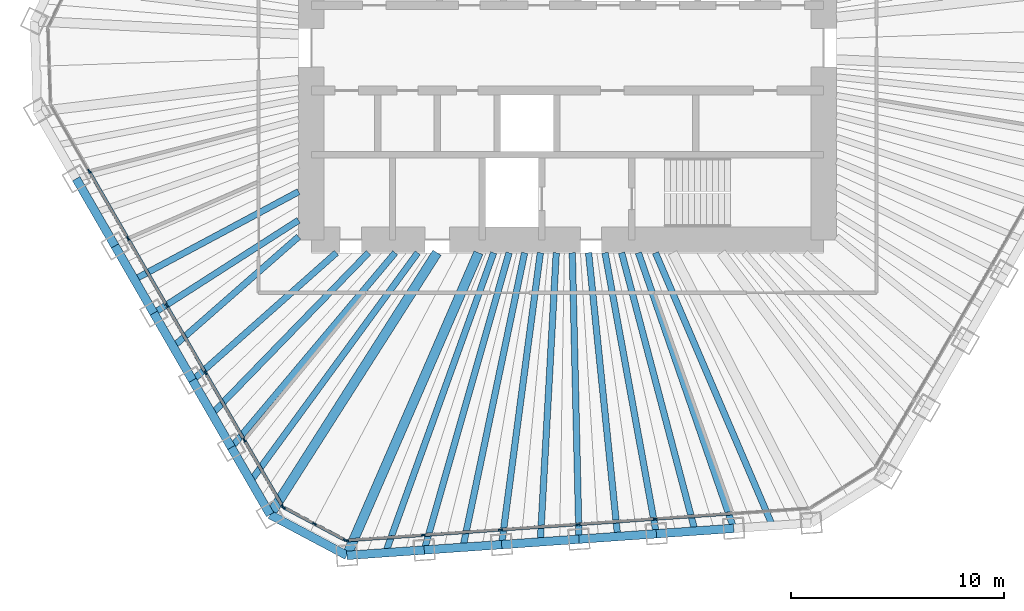
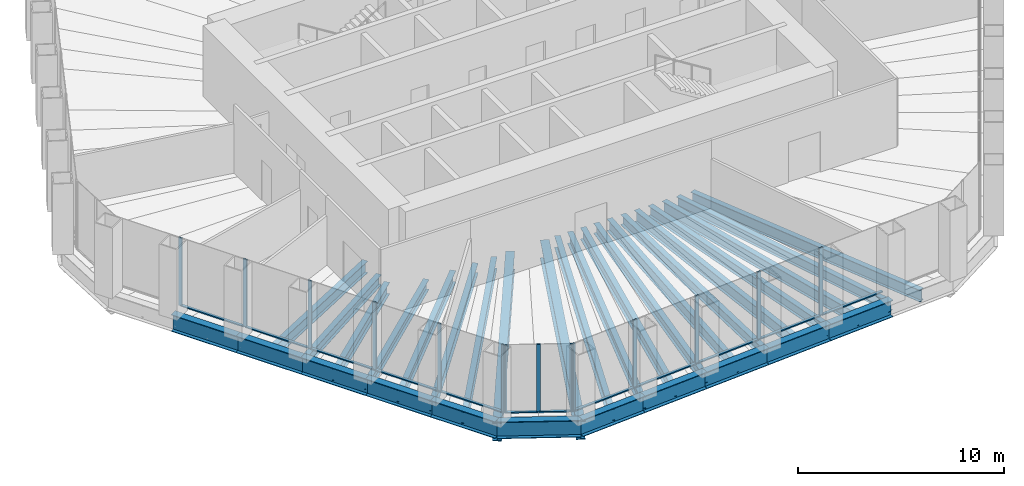
# One storey, part 2 of 13: 31 beams, 26 members, 3 elements without a shape of their own.
"""IFC4 building model written with IfcOpenShell, lengths in metres."""

from ifc_helpers import new_model, si_unit, direction, frame, origin, origin_2d, place, context, subcontext, project, spatial, rectangle, i_section, extrude, material, material_profile, profile_set, type_object, element, aggregate, save


model = new_model("IFC4")

# Units and contexts
model_context = context("Model", 3, precision=1e-05, world=origin(), true_north=direction((0.0, 1.0)))
body_context = subcontext(model_context, "Body", "Model", "MODEL_VIEW")
ifc_project = project(units=[si_unit("LENGTHUNIT", "METRE"), si_unit("AREAUNIT", "SQUARE_METRE"), si_unit("VOLUMEUNIT", "CUBIC_METRE"), si_unit("PLANEANGLEUNIT", "RADIAN"), si_unit("MASSUNIT", "GRAM", prefix="KILO")], contexts=[model_context])

# Site, building, storey
site_placement = place(None, origin())
site = spatial("IfcSite", under=ifc_project, at=site_placement, CompositionType="ELEMENT")
building_placement = place(site_placement, origin())
building = spatial("IfcBuilding", under=site, at=building_placement, Name="Qingtian Harvest Tower", CompositionType="ELEMENT")
storey_placement = place(building_placement, frame((0.0, 0.0, 247.60009765625)))
storey = spatial("IfcBuildingStorey", under=building, at=storey_placement, Name="L54", CompositionType="ELEMENT", Elevation=247.60009765625)

# Beams
ifc_material_1 = material(Name="Steel SM570MC", Category="steel")
ifc_material_profile_1 = material_profile(ifc_material_1, i_section(OverallWidth=0.449951171875, OverallDepth=1.10009765625, WebThickness=0.02197265625, FlangeThickness=0.044921875, at=origin_2d()), Name="H1100x450x22x45")
ifc_profile_set_1 = profile_set([ifc_material_profile_1], Name="Steel SM570MC")
beam_type_1 = type_object("IfcBeamType", Name="Corner floor beam FB8 H1100x450x22x45", PredefinedType="BEAM", material=ifc_profile_set_1)
beam_1_placement = place(storey_placement, frame((-10.33837890625, -23.779052734375, -0.72021484375), z_axis=(0.398714563353, 0.917075077063, 0.0), x_axis=(-0.917075077063, 0.398714563353, 0.0)))
element("IfcBeam", 1, at=beam_1_placement, inside=storey, type_object=beam_type_1, Name="Floor beam FB8 S6", PredefinedType="BEAM", context=body_context, shape_type="SweptSolid", body=[
    extrude(i_section(OverallWidth=0.449951171875, OverallDepth=1.10009765625, WebThickness=0.02197265625, FlangeThickness=0.044921875, at=origin_2d()), origin(), (0.0, 0.0, 1.0), 15.461181640625),
])
beam_2_placement = place(storey_placement, frame((-13.9326171875, -21.8681640625, -0.72021484375), z_axis=(0.537326103898, 0.8433745657, 0.0), x_axis=(-0.8433745657, 0.537326103898, 0.0)))
element("IfcBeam", 2, at=beam_2_placement, inside=storey, type_object=beam_type_1, Name="Floor beam FB8 SW0", PredefinedType="BEAM", context=body_context, shape_type="SweptSolid", body=[
    extrude(i_section(OverallWidth=0.449951171875, OverallDepth=1.10009765625, WebThickness=0.02197265625, FlangeThickness=0.044921875, at=origin_2d()), origin(), (0.0, 0.0, 1.0), 14.54638671875),
])
ifc_material_2 = material(Name="Steel SN490B", Category="steel")
ifc_material_profile_2 = material_profile(ifc_material_2, i_section(OverallWidth=0.300048828125, OverallDepth=0.699951171875, WebThickness=0.012939453125, FlangeThickness=0.02392578125, at=origin_2d()), Name="H700x300x13x24")
ifc_profile_set_2 = profile_set([ifc_material_profile_2], Name="Steel SN490B")
beam_type_2 = type_object("IfcBeamType", Name="Floor beam FB2 H700x300x13x24", PredefinedType="BEAM", material=ifc_profile_set_2)
beam_3_placement = place(storey_placement, frame((-6.713623046875, -23.525634765625, -0.52001953125), z_axis=(0.274411610503, 0.961612327303, 0.0), x_axis=(-0.961612327303, 0.274411610503, 0.0)))
element("IfcBeam", 3, at=beam_3_placement, inside=storey, type_object=beam_type_2, Name="Floor beam FB2 S5", PredefinedType="BEAM", context=body_context, shape_type="SweptSolid", body=[
    extrude(i_section(OverallWidth=0.300048828125, OverallDepth=0.699951171875, WebThickness=0.012939453125, FlangeThickness=0.02392578125, at=origin_2d()), origin(), (0.0, 0.0, 1.0), 14.4814453125),
])
ifc_material_3 = material(Name="Steel SN490B", Category="steel")
ifc_material_profile_3 = material_profile(ifc_material_3, i_section(OverallWidth=0.300048828125, OverallDepth=0.60009765625, WebThickness=0.011962890625, FlangeThickness=0.02001953125, at=origin_2d()), Name="H600x300x12x20")
ifc_profile_set_3 = profile_set([ifc_material_profile_3], Name="Steel SN490B")
beam_type_3 = type_object("IfcBeamType", Name="Floor beam FB3 H600x300x12x20", PredefinedType="BEAM", material=ifc_profile_set_3)
beam_4_placement = place(storey_placement, frame((7.78515625, -22.51171875, -0.47021484375), z_axis=(-0.326844175409, 0.945078242793, 0.0), x_axis=(-0.945078242793, -0.326844175409, 0.0)))
element("IfcBeam", 4, at=beam_4_placement, inside=storey, type_object=beam_type_3, Name="Floor beam FB3 S1", PredefinedType="BEAM", context=body_context, shape_type="SweptSolid", body=[
    extrude(i_section(OverallWidth=0.300048828125, OverallDepth=0.60009765625, WebThickness=0.011962890625, FlangeThickness=0.02001953125, at=origin_2d()), origin(), (0.0, 0.0, 1.0), 13.661865234375),
])
beam_5_placement = place(storey_placement, frame((4.160400390625, -22.76513671875, -0.47021484375), z_axis=(-0.179779537209, 0.983706926885, 0.0), x_axis=(-0.983706926885, -0.179779537209, 0.0)))
element("IfcBeam", 5, at=beam_5_placement, inside=storey, type_object=beam_type_3, Name="Floor beam FB3 S2", PredefinedType="BEAM", context=body_context, shape_type="SweptSolid", body=[
    extrude(i_section(OverallWidth=0.300048828125, OverallDepth=0.60009765625, WebThickness=0.011962890625, FlangeThickness=0.02001953125, at=origin_2d()), origin(), (0.0, 0.0, 1.0), 13.383056640625),
])
beam_6_placement = place(storey_placement, frame((0.53564453125, -23.018798828125, -0.47021484375), z_axis=(-0.023263902078, 0.999729358807, 0.0), x_axis=(-0.999729358807, -0.023263902078, 0.0)))
element("IfcBeam", 6, at=beam_6_placement, inside=storey, type_object=beam_type_3, Name="Floor beam FB3 S3", PredefinedType="BEAM", context=body_context, shape_type="SweptSolid", body=[
    extrude(i_section(OverallWidth=0.300048828125, OverallDepth=0.60009765625, WebThickness=0.011962890625, FlangeThickness=0.02001953125, at=origin_2d()), origin(), (0.0, 0.0, 1.0), 13.42236328125),
])
beam_7_placement = place(storey_placement, frame((-3.089111328125, -23.272216796875, -0.47021484375), z_axis=(0.131593229442, 0.991303799027, 0.0), x_axis=(-0.991303799027, 0.131593229442, 0.0)))
element("IfcBeam", 7, at=beam_7_placement, inside=storey, type_object=beam_type_3, Name="Floor beam FB3 S4", PredefinedType="BEAM", context=body_context, shape_type="SweptSolid", body=[
    extrude(i_section(OverallWidth=0.300048828125, OverallDepth=0.60009765625, WebThickness=0.011962890625, FlangeThickness=0.02001953125, at=origin_2d()), origin(), (0.0, 0.0, 1.0), 13.7919921875),
])
beam_8_placement = place(storey_placement, frame((-15.749267578125, -18.72119140625, -0.47021484375), z_axis=(0.643763532906, 0.765224485821, 0.0), x_axis=(-0.765224485821, 0.643763532906, 0.0)))
element("IfcBeam", 8, at=beam_8_placement, inside=storey, type_object=beam_type_3, Name="Floor beam FB3 SW1", PredefinedType="BEAM", context=body_context, shape_type="SweptSolid", body=[
    extrude(i_section(OverallWidth=0.300048828125, OverallDepth=0.60009765625, WebThickness=0.011962890625, FlangeThickness=0.02001953125, at=origin_2d()), origin(), (0.0, 0.0, 1.0), 11.91943359375),
])
beam_9_placement = place(storey_placement, frame((-17.566162109375, -15.574462890625, -0.47021484375), z_axis=(0.748259768664, 0.663405847577, 0.0), x_axis=(-0.663405847577, 0.748259768664, 0.0)))
element("IfcBeam", 9, at=beam_9_placement, inside=storey, type_object=beam_type_3, Name="Floor beam FB3 SW2", PredefinedType="BEAM", context=body_context, shape_type="SweptSolid", body=[
    extrude(i_section(OverallWidth=0.300048828125, OverallDepth=0.60009765625, WebThickness=0.011962890625, FlangeThickness=0.02001953125, at=origin_2d()), origin(), (0.0, 0.0, 1.0), 9.005615234375),
])
beam_10_placement = place(storey_placement, frame((-19.3828125, -12.427734375, -0.47021484375), z_axis=(0.841823714388, 0.539752567288, 0.0), x_axis=(-0.539752567288, 0.841823714388, 0.0)))
element("IfcBeam", 10, at=beam_10_placement, inside=storey, type_object=beam_type_3, Name="Floor beam FB3 SW3", PredefinedType="BEAM", context=body_context, shape_type="SweptSolid", body=[
    extrude(i_section(OverallWidth=0.300048828125, OverallDepth=0.60009765625, WebThickness=0.011962890625, FlangeThickness=0.02001953125, at=origin_2d()), origin(), (0.0, 0.0, 1.0), 8.05712890625),
])
ifc_material_4 = material(Name="Steel SN490B", Category="steel")
ifc_material_profile_4 = material_profile(ifc_material_4, i_section(OverallWidth=0.300048828125, OverallDepth=0.699951171875, WebThickness=0.012939453125, FlangeThickness=0.02392578125, at=origin_2d()), Name="H700x300x13x24")
ifc_profile_set_4 = profile_set([ifc_material_profile_4], Name="Steel SN490B")
beam_type_4 = type_object("IfcBeamType", Name="Floor joist J2 H700x300x13x24", PredefinedType="JOIST", material=ifc_profile_set_4)
beam_11_placement = place(storey_placement, frame((9.597412109375, -22.385009765625, -0.52001953125), z_axis=(-0.394052741766, 0.919087828614, 0.0), x_axis=(-0.919087828614, -0.394052741766, 0.0)))
element("IfcBeam", 11, at=beam_11_placement, inside=storey, type_object=beam_type_4, Name="Floor joist J2 S0", PredefinedType="JOIST", context=body_context, shape_type="SweptSolid", body=[
    extrude(i_section(OverallWidth=0.300048828125, OverallDepth=0.699951171875, WebThickness=0.012939453125, FlangeThickness=0.02392578125, at=origin_2d()), origin(), (0.0, 0.0, 1.0), 13.910400390625),
])
beam_12_placement = place(storey_placement, frame((5.97265625, -22.638427734375, -0.52001953125), z_axis=(-0.255103716232, 0.9669136952, 0.0), x_axis=(-0.9669136952, -0.255103716232, 0.0)))
element("IfcBeam", 12, at=beam_12_placement, inside=storey, type_object=beam_type_4, Name="Floor joist J2 S1", PredefinedType="JOIST", context=body_context, shape_type="SweptSolid", body=[
    extrude(i_section(OverallWidth=0.300048828125, OverallDepth=0.699951171875, WebThickness=0.012939453125, FlangeThickness=0.02392578125, at=origin_2d()), origin(), (0.0, 0.0, 1.0), 13.484375),
])
beam_13_placement = place(storey_placement, frame((2.347900390625, -22.89208984375, -0.52001953125), z_axis=(-0.102028865499, 0.994781438611, 0.0), x_axis=(-0.994781438611, -0.102028865499, 0.0)))
element("IfcBeam", 13, at=beam_13_placement, inside=storey, type_object=beam_type_4, Name="Floor joist J2 S2", PredefinedType="JOIST", context=body_context, shape_type="SweptSolid", body=[
    extrude(i_section(OverallWidth=0.300048828125, OverallDepth=0.699951171875, WebThickness=0.012939453125, FlangeThickness=0.02392578125, at=origin_2d()), origin(), (0.0, 0.0, 1.0), 13.36181640625),
])
beam_14_placement = place(storey_placement, frame((-1.276611328125, -23.1455078125, -0.52001953125), z_axis=(0.055069329716, 0.998482533109, 0.0), x_axis=(-0.998482533109, 0.055069329716, 0.0)))
element("IfcBeam", 14, at=beam_14_placement, inside=storey, type_object=beam_type_4, Name="Floor joist J2 S3", PredefinedType="JOIST", context=body_context, shape_type="SweptSolid", body=[
    extrude(i_section(OverallWidth=0.300048828125, OverallDepth=0.699951171875, WebThickness=0.012939453125, FlangeThickness=0.02392578125, at=origin_2d()), origin(), (0.0, 0.0, 1.0), 13.56591796875),
])
beam_15_placement = place(storey_placement, frame((-4.9013671875, -23.39892578125, -0.52001953125), z_axis=(0.205016322093, 0.978758554331, 0.0), x_axis=(-0.978758554331, 0.205016322093, 0.0)))
element("IfcBeam", 15, at=beam_15_placement, inside=storey, type_object=beam_type_4, Name="Floor joist J2 S4", PredefinedType="JOIST", context=body_context, shape_type="SweptSolid", body=[
    extrude(i_section(OverallWidth=0.300048828125, OverallDepth=0.699951171875, WebThickness=0.012939453125, FlangeThickness=0.02392578125, at=origin_2d()), origin(), (0.0, 0.0, 1.0), 14.098388671875),
])
beam_16_placement = place(storey_placement, frame((-8.526123046875, -23.65234375, -0.52001953125), z_axis=(0.339126305921, 0.940740850943, 0.0), x_axis=(-0.940740850943, 0.339126305921, 0.0)))
element("IfcBeam", 16, at=beam_16_placement, inside=storey, type_object=beam_type_4, Name="Floor joist J2 S5", PredefinedType="JOIST", context=body_context, shape_type="SweptSolid", body=[
    extrude(i_section(OverallWidth=0.300048828125, OverallDepth=0.699951171875, WebThickness=0.012939453125, FlangeThickness=0.02392578125, at=origin_2d()), origin(), (0.0, 0.0, 1.0), 14.9375),
])
beam_17_placement = place(storey_placement, frame((-14.841064453125, -20.294677734375, -0.52001953125), z_axis=(0.590288677526, 0.807192218238, 0.0), x_axis=(-0.807192218238, 0.590288677526, 0.0)))
element("IfcBeam", 17, at=beam_17_placement, inside=storey, type_object=beam_type_4, Name="Floor joist J2 SW0", PredefinedType="JOIST", context=body_context, shape_type="SweptSolid", body=[
    extrude(i_section(OverallWidth=0.300048828125, OverallDepth=0.699951171875, WebThickness=0.012939453125, FlangeThickness=0.02392578125, at=origin_2d()), origin(), (0.0, 0.0, 1.0), 13.2490234375),
])
beam_18_placement = place(storey_placement, frame((-16.65771484375, -17.14794921875, -0.52001953125), z_axis=(0.696777499009, 0.717287332158, 0.0), x_axis=(-0.717287332158, 0.696777499009, 0.0)))
element("IfcBeam", 18, at=beam_18_placement, inside=storey, type_object=beam_type_4, Name="Floor joist J2 SW1", PredefinedType="JOIST", context=body_context, shape_type="SweptSolid", body=[
    extrude(i_section(OverallWidth=0.300048828125, OverallDepth=0.699951171875, WebThickness=0.012939453125, FlangeThickness=0.02392578125, at=origin_2d()), origin(), (0.0, 0.0, 1.0), 10.522705078125),
])
beam_19_placement = place(storey_placement, frame((-18.474609375, -14.001220703125, -0.52001953125), z_axis=(0.751883296969, 0.659296221542, 0.0), x_axis=(-0.659296221542, 0.751883296969, 0.0)))
element("IfcBeam", 19, at=beam_19_placement, inside=storey, type_object=beam_type_4, Name="Floor joist J2 SW2", PredefinedType="JOIST", context=body_context, shape_type="SweptSolid", body=[
    extrude(i_section(OverallWidth=0.300048828125, OverallDepth=0.699951171875, WebThickness=0.012939453125, FlangeThickness=0.02392578125, at=origin_2d()), origin(), (0.0, 0.0, 1.0), 7.81298828125),
])
beam_20_placement = place(storey_placement, frame((-20.291259765625, -10.8544921875, -0.52001953125), z_axis=(0.881766503154, 0.471686160402, 0.0), x_axis=(-0.471686160402, 0.881766503154, 0.0)))
element("IfcBeam", 20, at=beam_20_placement, inside=storey, type_object=beam_type_4, Name="Floor joist J2 SW3", PredefinedType="JOIST", context=body_context, shape_type="SweptSolid", body=[
    extrude(i_section(OverallWidth=0.300048828125, OverallDepth=0.699951171875, WebThickness=0.012939453125, FlangeThickness=0.02392578125, at=origin_2d()), origin(), (0.0, 0.0, 1.0), 8.722412109375),
])

# Curtain wall, members
ifc_material_5 = material(Name="Bronze-anodised aluminium curtain wall", Category="aluminium")
curtain_wall_type = type_object("IfcCurtainWallType", Name="Curtain wall CW4 office", PredefinedType="USERDEFINED", material=ifc_material_5)
curtain_wall_1_placement = place(storey_placement, origin())
curtain_wall_1 = element("IfcCurtainWall", 21, at=curtain_wall_1_placement, inside=storey, type_object=curtain_wall_type, Name="Curtain wall CW4 L54 S0-5", ObjectType="RECESSED CURTAIN WALL", PredefinedType="USERDEFINED")
ifc_material_6 = material(Name="Bronze-anodised aluminium mullion", Category="aluminium")
ifc_material_profile_5 = material_profile(ifc_material_6, rectangle(XDim=0.06494140625, YDim=0.199951171875, at=origin_2d()), Name="AL 65x200")
ifc_profile_set_5 = profile_set([ifc_material_profile_5], Name="Bronze-anodised aluminium mullion")
member_type_1 = type_object("IfcMemberType", Name="Mullion CWM 65x200", PredefinedType="MULLION", material=ifc_profile_set_5)
member_1_placement = place(storey_placement, frame((4.111572265625, -22.06689453125, 0.0), z_axis=(0.0, 0.0, 1.0), x_axis=(0.069756473744, -0.99756405026, 0.0)))
member_1 = element("IfcMember", 22, at=member_1_placement, type_object=member_type_1, Name="CW4 mullion 3", PredefinedType="MULLION", context=body_context, shape_type="SweptSolid", body=[
    extrude(rectangle(XDim=0.06494140625, YDim=0.199951171875, at=origin_2d()), origin(), (0.0, 0.0, 1.0), 4.02978515625),
])
member_2_placement = place(storey_placement, frame((0.48681640625, -22.3203125, 0.0), z_axis=(0.0, 0.0, 1.0), x_axis=(0.069756473744, -0.99756405026, 0.0)))
member_2 = element("IfcMember", 23, at=member_2_placement, type_object=member_type_1, Name="CW4 mullion 4", PredefinedType="MULLION", context=body_context, shape_type="SweptSolid", body=[
    extrude(rectangle(XDim=0.06494140625, YDim=0.199951171875, at=origin_2d()), origin(), (0.0, 0.0, 1.0), 4.02978515625),
])
member_3_placement = place(storey_placement, frame((-3.137939453125, -22.573974609375, 0.0), z_axis=(0.0, 0.0, 1.0), x_axis=(0.069756473744, -0.99756405026, 0.0)))
member_3 = element("IfcMember", 24, at=member_3_placement, type_object=member_type_1, Name="CW4 mullion 5", PredefinedType="MULLION", context=body_context, shape_type="SweptSolid", body=[
    extrude(rectangle(XDim=0.06494140625, YDim=0.199951171875, at=origin_2d()), origin(), (0.0, 0.0, 1.0), 4.02978515625),
])
member_4_placement = place(storey_placement, frame((-6.762451171875, -22.827392578125, 0.0), z_axis=(0.0, 0.0, 1.0), x_axis=(0.069756473744, -0.99756405026, 0.0)))
member_4 = element("IfcMember", 25, at=member_4_placement, type_object=member_type_1, Name="CW4 mullion 6", PredefinedType="MULLION", context=body_context, shape_type="SweptSolid", body=[
    extrude(rectangle(XDim=0.06494140625, YDim=0.199951171875, at=origin_2d()), origin(), (0.0, 0.0, 1.0), 4.02978515625),
])
member_5_placement = place(storey_placement, frame((-10.354736328125, -23.07861328125, 0.0), z_axis=(0.0, 0.0, 1.0), x_axis=(0.069756473744, -0.99756405026, 0.0)))
member_5 = element("IfcMember", 26, at=member_5_placement, type_object=member_type_1, Name="CW4 mullion 7", PredefinedType="MULLION", context=body_context, shape_type="SweptSolid", body=[
    extrude(rectangle(XDim=0.06494140625, YDim=0.199951171875, at=origin_2d()), origin(), (0.0, 0.0, 1.0), 4.02978515625),
])

curtain_wall_2_placement = place(storey_placement, origin())
curtain_wall_2 = element("IfcCurtainWall", 27, at=curtain_wall_2_placement, inside=storey, type_object=curtain_wall_type, Name="Curtain wall CW4 L54 SC", ObjectType="RECESSED CURTAIN WALL", PredefinedType="USERDEFINED")
member_6_placement = place(storey_placement, frame((-10.416015625, -23.0654296875, 0.0), z_axis=(0.0, 0.0, 1.0), x_axis=(-0.469471562786, -0.882947592859, 0.0)))
member_6 = element("IfcMember", 28, at=member_6_placement, type_object=member_type_1, Name="CW4 mullion 1", PredefinedType="MULLION", context=body_context, shape_type="SweptSolid", body=[
    extrude(rectangle(XDim=0.06494140625, YDim=0.199951171875, at=origin_2d()), origin(), (0.0, 0.0, 1.0), 4.02978515625),
])
member_7_placement = place(storey_placement, frame((-11.85693359375, -22.29931640625, 0.0), z_axis=(0.0, 0.0, 1.0), x_axis=(-0.469471562786, -0.882947592859, 0.0)))
member_7 = element("IfcMember", 29, at=member_7_placement, type_object=member_type_1, Name="CW4 mullion 2", PredefinedType="MULLION", context=body_context, shape_type="SweptSolid", body=[
    extrude(rectangle(XDim=0.06494140625, YDim=0.199951171875, at=origin_2d()), origin(), (0.0, 0.0, 1.0), 4.02978515625),
])
member_8_placement = place(storey_placement, frame((-13.297607421875, -21.533203125, 0.0), z_axis=(0.0, 0.0, 1.0), x_axis=(-0.469471562786, -0.882947592859, 0.0)))
member_8 = element("IfcMember", 30, at=member_8_placement, type_object=member_type_1, Name="CW4 mullion 3", PredefinedType="MULLION", context=body_context, shape_type="SweptSolid", body=[
    extrude(rectangle(XDim=0.06494140625, YDim=0.199951171875, at=origin_2d()), origin(), (0.0, 0.0, 1.0), 4.02978515625),
])

curtain_wall_3_placement = place(storey_placement, origin())
curtain_wall_3 = element("IfcCurtainWall", 31, at=curtain_wall_3_placement, inside=storey, type_object=curtain_wall_type, Name="Curtain wall CW4 L54 SW0-5", ObjectType="RECESSED CURTAIN WALL", PredefinedType="USERDEFINED")
member_9_placement = place(storey_placement, frame((-13.342529296875, -21.489990234375, 0.0), z_axis=(0.0, 0.0, 1.0), x_axis=(-0.866025403784, -0.5, 0.0)))
member_9 = element("IfcMember", 32, at=member_9_placement, type_object=member_type_1, Name="CW4 mullion 1", PredefinedType="MULLION", context=body_context, shape_type="SweptSolid", body=[
    extrude(rectangle(XDim=0.06494140625, YDim=0.199951171875, at=origin_2d()), origin(), (0.0, 0.0, 1.0), 4.02978515625),
])
member_10_placement = place(storey_placement, frame((-15.14306640625, -18.371337890625, 0.0), z_axis=(0.0, 0.0, 1.0), x_axis=(-0.866025403784, -0.5, 0.0)))
member_10 = element("IfcMember", 33, at=member_10_placement, type_object=member_type_1, Name="CW4 mullion 2", PredefinedType="MULLION", context=body_context, shape_type="SweptSolid", body=[
    extrude(rectangle(XDim=0.06494140625, YDim=0.199951171875, at=origin_2d()), origin(), (0.0, 0.0, 1.0), 4.02978515625),
])
member_11_placement = place(storey_placement, frame((-16.9599609375, -15.224609375, 0.0), z_axis=(0.0, 0.0, 1.0), x_axis=(-0.866025403784, -0.5, 0.0)))
member_11 = element("IfcMember", 34, at=member_11_placement, type_object=member_type_1, Name="CW4 mullion 3", PredefinedType="MULLION", context=body_context, shape_type="SweptSolid", body=[
    extrude(rectangle(XDim=0.06494140625, YDim=0.199951171875, at=origin_2d()), origin(), (0.0, 0.0, 1.0), 4.02978515625),
])
member_12_placement = place(storey_placement, frame((-18.776611328125, -12.077880859375, 0.0), z_axis=(0.0, 0.0, 1.0), x_axis=(-0.866025403784, -0.5, 0.0)))
member_12 = element("IfcMember", 35, at=member_12_placement, type_object=member_type_1, Name="CW4 mullion 4", PredefinedType="MULLION", context=body_context, shape_type="SweptSolid", body=[
    extrude(rectangle(XDim=0.06494140625, YDim=0.199951171875, at=origin_2d()), origin(), (0.0, 0.0, 1.0), 4.02978515625),
])
member_13_placement = place(storey_placement, frame((-20.593505859375, -8.93115234375, 0.0), z_axis=(0.0, 0.0, 1.0), x_axis=(-0.866025403784, -0.5, 0.0)))
member_13 = element("IfcMember", 36, at=member_13_placement, type_object=member_type_1, Name="CW4 mullion 5", PredefinedType="MULLION", context=body_context, shape_type="SweptSolid", body=[
    extrude(rectangle(XDim=0.06494140625, YDim=0.199951171875, at=origin_2d()), origin(), (0.0, 0.0, 1.0), 4.02978515625),
])
member_14_placement = place(storey_placement, frame((-22.41015625, -5.784423828125, 0.0), z_axis=(0.0, 0.0, 1.0), x_axis=(-0.866025403784, -0.5, 0.0)))
member_14 = element("IfcMember", 37, at=member_14_placement, type_object=member_type_1, Name="CW4 mullion 6", PredefinedType="MULLION", context=body_context, shape_type="SweptSolid", body=[
    extrude(rectangle(XDim=0.06494140625, YDim=0.199951171875, at=origin_2d()), origin(), (0.0, 0.0, 1.0), 4.02978515625),
])

# Beams
ifc_material_7 = material(Name="Steel SN490B", Category="steel")
ifc_material_profile_6 = material_profile(ifc_material_7, i_section(OverallWidth=0.39990234375, OverallDepth=1.0, WebThickness=0.01904296875, FlangeThickness=0.035888671875, at=origin_2d()), Name="H1000x400x19x36")
ifc_profile_set_6 = profile_set([ifc_material_profile_6], Name="Steel SN490B")
beam_type_5 = type_object("IfcBeamType", Name="Spandrel beam SB3 H1000x400x19x36", PredefinedType="SPANDREL", material=ifc_profile_set_6)
for number, where, z_axis, x_axis, name in (
    (38, (7.78515625, -22.51171875, -0.5), (-0.997565001055, -0.069742875402, 0.0), (0.069742875402, -0.997565001055, 0.0), "Spandrel SB3 S1"),
    (39, (4.160400390625, -22.76513671875, -0.5), (-0.997560324246, -0.069809737785, 0.0), (0.069809737785, -0.997560324246, 0.0), "Spandrel SB3 S2"),
    (40, (0.53564453125, -23.018798828125, -0.5), (-0.997565001055, -0.069742875402, 0.0), (0.069742875402, -0.997565001055, 0.0), "Spandrel SB3 S3"),
):
    element("IfcBeam", number, at=place(storey_placement, frame(where, z_axis=z_axis, x_axis=x_axis)), inside=storey, type_object=beam_type_5, Name=name, PredefinedType="SPANDREL", context=body_context, shape_type="SweptSolid", body=[
        extrude(i_section(OverallWidth=0.39990234375, OverallDepth=1.0, WebThickness=0.01904296875, FlangeThickness=0.035888671875, at=origin_2d()), origin(), (0.0, 0.0, 1.0), 3.633544921875),
    ])
beam_21_placement = place(storey_placement, frame((-3.089111328125, -23.272216796875, -0.5), z_axis=(-0.997564674207, -0.069747550305, 0.0), x_axis=(0.069747550305, -0.997564674207, 0.0)))
element("IfcBeam", 41, at=beam_21_placement, inside=storey, type_object=beam_type_5, Name="Spandrel SB3 S4", PredefinedType="SPANDREL", context=body_context, shape_type="SweptSolid", body=[
    extrude(i_section(OverallWidth=0.39990234375, OverallDepth=1.0, WebThickness=0.01904296875, FlangeThickness=0.035888671875, at=origin_2d()), origin(), (0.0, 0.0, 1.0), 3.63330078125),
])
beam_22_placement = place(storey_placement, frame((-6.713623046875, -23.525634765625, -0.5), z_axis=(-0.997565001055, -0.069742875402, 0.0), x_axis=(0.069742875402, -0.997565001055, 0.0)))
element("IfcBeam", 42, at=beam_22_placement, inside=storey, type_object=beam_type_5, Name="Spandrel SB3 S5", PredefinedType="SPANDREL", context=body_context, shape_type="SweptSolid", body=[
    extrude(i_section(OverallWidth=0.39990234375, OverallDepth=1.0, WebThickness=0.01904296875, FlangeThickness=0.035888671875, at=origin_2d()), origin(), (0.0, 0.0, 1.0), 3.633544921875),
])
beam_23_placement = place(storey_placement, frame((-10.33837890625, -23.779052734375, -0.5), z_axis=(-0.882968133669, 0.469432929101, 0.0), x_axis=(-0.469432929101, -0.882968133669, 0.0)))
element("IfcBeam", 43, at=beam_23_placement, inside=storey, type_object=beam_type_5, Name="Spandrel SB3 SC", PredefinedType="SPANDREL", context=body_context, shape_type="SweptSolid", body=[
    extrude(i_section(OverallWidth=0.39990234375, OverallDepth=1.0, WebThickness=0.01904296875, FlangeThickness=0.035888671875, at=origin_2d()), origin(), (0.0, 0.0, 1.0), 4.070556640625),
])
beam_24_placement = place(storey_placement, frame((-13.9326171875, -21.8681640625, -0.5), z_axis=(-0.499947341849, 0.866055803848, 0.0), x_axis=(-0.866055803848, -0.499947341849, 0.0)))
element("IfcBeam", 44, at=beam_24_placement, inside=storey, type_object=beam_type_5, Name="Spandrel SB3 SW0", PredefinedType="SPANDREL", context=body_context, shape_type="SweptSolid", body=[
    extrude(i_section(OverallWidth=0.39990234375, OverallDepth=1.0, WebThickness=0.01904296875, FlangeThickness=0.035888671875, at=origin_2d()), origin(), (0.0, 0.0, 1.0), 3.6337890625),
])
for number, where, z_axis, x_axis, name in (
    (45, (-15.749267578125, -18.72119140625, -0.5), (-0.500026827678, 0.866009914263, 0.0), (-0.866009914263, -0.500026827678, 0.0), "Spandrel SB3 SW1"),
    (46, (-17.566162109375, -15.574462890625, -0.5), (-0.499976434558, 0.866039008871, 0.0), (-0.866039008871, -0.499976434558, 0.0), "Spandrel SB3 SW2"),
    (47, (-19.3828125, -12.427734375, -0.5), (-0.500026827678, 0.866009914263, 0.0), (-0.866009914263, -0.500026827678, 0.0), "Spandrel SB3 SW3"),
    (48, (-21.19970703125, -9.281005859375, -0.5), (-0.499976434558, 0.866039008871, 0.0), (-0.866039008871, -0.499976434558, 0.0), "Spandrel SB3 SW4"),
):
    element("IfcBeam", number, at=place(storey_placement, frame(where, z_axis=z_axis, x_axis=x_axis)), inside=storey, type_object=beam_type_5, Name=name, PredefinedType="SPANDREL", context=body_context, shape_type="SweptSolid", body=[
        extrude(i_section(OverallWidth=0.39990234375, OverallDepth=1.0, WebThickness=0.01904296875, FlangeThickness=0.035888671875, at=origin_2d()), origin(), (0.0, 0.0, 1.0), 3.633544921875),
    ])

# Member
ifc_material_8 = material(Name="Bronze-anodised aluminium transom", Category="aluminium")
ifc_material_profile_7 = material_profile(ifc_material_8, rectangle(XDim=0.14990234375, YDim=0.06494140625, at=origin_2d()), Name="AL 65x150")
ifc_profile_set_7 = profile_set([ifc_material_profile_7], Name="Bronze-anodised aluminium transom")
member_type_2 = type_object("IfcMemberType", Name="Transom CWT 65x150", PredefinedType="USERDEFINED", material=ifc_profile_set_7)
member_15_placement = place(storey_placement, frame((7.703857421875, -21.815673828125, 0.032470703125), z_axis=(-0.997562159126, -0.069783512949, 0.0), x_axis=(0.069783512949, -0.997562159126, 0.0)))
member_15 = element("IfcMember", 49, at=member_15_placement, type_object=member_type_2, Name="CW4 transom 2.1", ObjectType="TRANSOM", PredefinedType="USERDEFINED", context=body_context, shape_type="SweptSolid", body=[
    extrude(rectangle(XDim=0.14990234375, YDim=0.06494140625, at=origin_2d()), origin(), (0.0, 0.0, 1.0), 3.568603515625),
])

member_16_placement = place(storey_placement, frame((4.0791015625, -22.0693359375, 0.032470703125), z_axis=(-0.99756691944, -0.069715430417, 0.0), x_axis=(0.069715430417, -0.99756691944, 0.0)))
member_16 = element("IfcMember", 50, at=member_16_placement, type_object=member_type_2, Name="CW4 transom 3.1", ObjectType="TRANSOM", PredefinedType="USERDEFINED", context=body_context, shape_type="SweptSolid", body=[
    extrude(rectangle(XDim=0.14990234375, YDim=0.06494140625, at=origin_2d()), origin(), (0.0, 0.0, 1.0), 3.568603515625),
])

member_17_placement = place(storey_placement, frame((0.454345703125, -22.32275390625, 0.032470703125), z_axis=(-0.99756691944, -0.069715430417, 0.0), x_axis=(0.069715430417, -0.99756691944, 0.0)))
member_17 = element("IfcMember", 51, at=member_17_placement, type_object=member_type_2, Name="CW4 transom 4.1", ObjectType="TRANSOM", PredefinedType="USERDEFINED", context=body_context, shape_type="SweptSolid", body=[
    extrude(rectangle(XDim=0.14990234375, YDim=0.06494140625, at=origin_2d()), origin(), (0.0, 0.0, 1.0), 3.568603515625),
])

member_18_placement = place(storey_placement, frame((-3.170166015625, -22.576171875, 0.032470703125), z_axis=(-0.997567251922, -0.069710672727, 0.0), x_axis=(0.069710672727, -0.997567251922, 0.0)))
member_18 = element("IfcMember", 52, at=member_18_placement, type_object=member_type_2, Name="CW4 transom 5.1", ObjectType="TRANSOM", PredefinedType="USERDEFINED", context=body_context, shape_type="SweptSolid", body=[
    extrude(rectangle(XDim=0.14990234375, YDim=0.06494140625, at=origin_2d()), origin(), (0.0, 0.0, 1.0), 3.56884765625),
])

member_19_placement = place(storey_placement, frame((-6.794921875, -22.82958984375, 0.032470703125), z_axis=(-0.997565839557, -0.069730880888, 0.0), x_axis=(0.069730880888, -0.997565839557, 0.0)))
member_19 = element("IfcMember", 53, at=member_19_placement, type_object=member_type_2, Name="CW4 transom 6.1", ObjectType="TRANSOM", PredefinedType="USERDEFINED", context=body_context, shape_type="SweptSolid", body=[
    extrude(rectangle(XDim=0.14990234375, YDim=0.06494140625, at=origin_2d()), origin(), (0.0, 0.0, 1.0), 3.5361328125),
])

aggregate(curtain_wall_1, [member_1, member_2, member_3, member_4, member_5, member_15, member_16, member_17, member_18, member_19])

member_20_placement = place(storey_placement, frame((-10.444580078125, -23.05029296875, 0.032470703125), z_axis=(-0.882960338349, 0.46944759122, 0.0), x_axis=(-0.46944759122, -0.882960338349, 0.0)))
member_20 = element("IfcMember", 54, at=member_20_placement, type_object=member_type_2, Name="CW4 transom 1.1", ObjectType="TRANSOM", PredefinedType="USERDEFINED", context=body_context, shape_type="SweptSolid", body=[
    extrude(rectangle(XDim=0.14990234375, YDim=0.06494140625, at=origin_2d()), origin(), (0.0, 0.0, 1.0), 1.56689453125),
])

member_21_placement = place(storey_placement, frame((-11.885498046875, -22.2841796875, 0.032470703125), z_axis=(-0.882960338349, 0.46944759122, 0.0), x_axis=(-0.46944759122, -0.882960338349, 0.0)))
member_21 = element("IfcMember", 55, at=member_21_placement, type_object=member_type_2, Name="CW4 transom 2.1", ObjectType="TRANSOM", PredefinedType="USERDEFINED", context=body_context, shape_type="SweptSolid", body=[
    extrude(rectangle(XDim=0.14990234375, YDim=0.06494140625, at=origin_2d()), origin(), (0.0, 0.0, 1.0), 1.56689453125),
])

aggregate(curtain_wall_2, [member_6, member_7, member_8, member_20, member_21])

member_22_placement = place(storey_placement, frame((-13.35888671875, -21.461669921875, 0.032470703125), z_axis=(-0.500015305566, 0.866016566931, 0.0), x_axis=(-0.866016566931, -0.500015305566, 0.0)))
member_22 = element("IfcMember", 56, at=member_22_placement, type_object=member_type_2, Name="CW4 transom 1.1", ObjectType="TRANSOM", PredefinedType="USERDEFINED", context=body_context, shape_type="SweptSolid", body=[
    extrude(rectangle(XDim=0.14990234375, YDim=0.06494140625, at=origin_2d()), origin(), (0.0, 0.0, 1.0), 3.5361328125),
])

member_23_placement = place(storey_placement, frame((-15.159423828125, -18.34326171875, 0.032470703125), z_axis=(-0.499965259726, 0.866045460162, 0.0), x_axis=(-0.866045460162, -0.499965259726, 0.0)))
member_23 = element("IfcMember", 57, at=member_23_placement, type_object=member_type_2, Name="CW4 transom 2.1", ObjectType="TRANSOM", PredefinedType="USERDEFINED", context=body_context, shape_type="SweptSolid", body=[
    extrude(rectangle(XDim=0.14990234375, YDim=0.06494140625, at=origin_2d()), origin(), (0.0, 0.0, 1.0), 3.568603515625),
])

member_24_placement = place(storey_placement, frame((-16.97607421875, -15.1962890625, 0.032470703125), z_axis=(-0.500046194516, 0.865998731726, 0.0), x_axis=(-0.865998731726, -0.500046194516, 0.0)))
member_24 = element("IfcMember", 58, at=member_24_placement, type_object=member_type_2, Name="CW4 transom 3.1", ObjectType="TRANSOM", PredefinedType="USERDEFINED", context=body_context, shape_type="SweptSolid", body=[
    extrude(rectangle(XDim=0.14990234375, YDim=0.06494140625, at=origin_2d()), origin(), (0.0, 0.0, 1.0), 3.568603515625),
])

member_25_placement = place(storey_placement, frame((-18.79296875, -12.049560546875, 0.032470703125), z_axis=(-0.499994883695, 0.866028357664, 0.0), x_axis=(-0.866028357664, -0.499994883695, 0.0)))
member_25 = element("IfcMember", 59, at=member_25_placement, type_object=member_type_2, Name="CW4 transom 4.1", ObjectType="TRANSOM", PredefinedType="USERDEFINED", context=body_context, shape_type="SweptSolid", body=[
    extrude(rectangle(XDim=0.14990234375, YDim=0.06494140625, at=origin_2d()), origin(), (0.0, 0.0, 1.0), 3.568359375),
])

member_26_placement = place(storey_placement, frame((-20.609619140625, -8.90283203125, 0.032470703125), z_axis=(-0.500046194516, 0.865998731726, 0.0), x_axis=(-0.865998731726, -0.500046194516, 0.0)))
member_26 = element("IfcMember", 60, at=member_26_placement, type_object=member_type_2, Name="CW4 transom 5.1", ObjectType="TRANSOM", PredefinedType="USERDEFINED", context=body_context, shape_type="SweptSolid", body=[
    extrude(rectangle(XDim=0.14990234375, YDim=0.06494140625, at=origin_2d()), origin(), (0.0, 0.0, 1.0), 3.568603515625),
])

aggregate(curtain_wall_3, [member_9, member_10, member_11, member_12, member_13, member_14, member_22, member_23, member_24, member_25, member_26])

save(model, "model.ifc")
